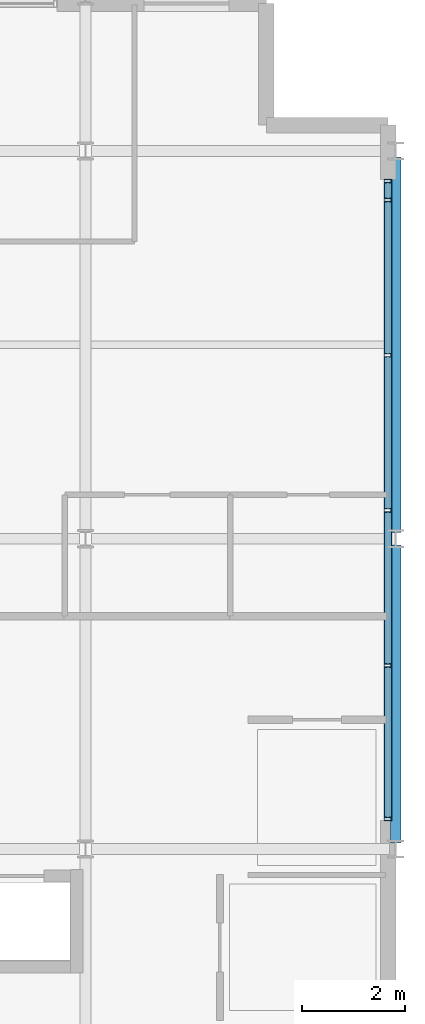
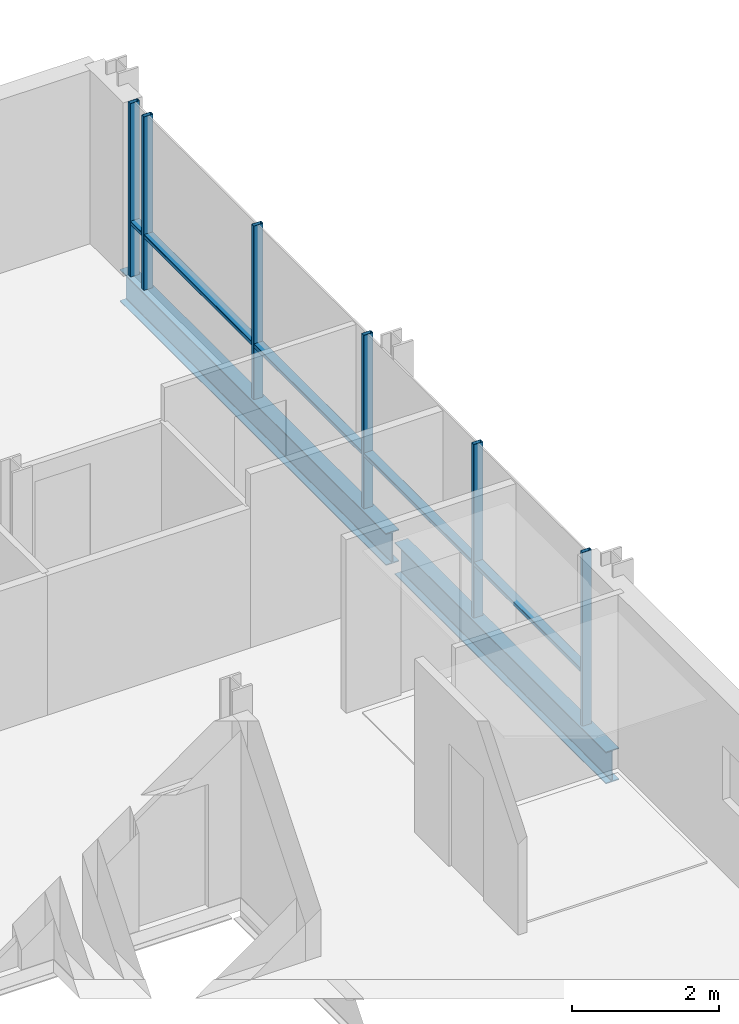
# One storey, part 5 of 12: 11 members, 2 beams, 1 element without a shape of its own.
"""IFC4 building model written with IfcOpenShell, lengths in metres."""

from ifc_helpers import new_model, si_unit, direction, frame, origin, origin_2d, place, context, subcontext, project, spatial, hollow_rectangle, i_section, extrude, material, layer, layer_set, material_profile, profile_set, type_object, element, aggregate, save


model = new_model("IFC4")

# Units and contexts
model_context = context("Model", 3, precision=1e-05, world=origin(), true_north=direction((0.0, 1.0)))
body_context = subcontext(model_context, "Body", "Model", "MODEL_VIEW")
ifc_project = project(units=[si_unit("LENGTHUNIT", "METRE"), si_unit("AREAUNIT", "SQUARE_METRE"), si_unit("VOLUMEUNIT", "CUBIC_METRE"), si_unit("PLANEANGLEUNIT", "RADIAN"), si_unit("MASSUNIT", "GRAM", prefix="KILO")], contexts=[model_context])

# Site, building, storey
site_placement = place(None, origin())
site = spatial("IfcSite", under=ifc_project, at=site_placement, CompositionType="ELEMENT")
building_placement = place(site_placement, origin())
building = spatial("IfcBuilding", under=site, at=building_placement, Name="Brevholm Reach", CompositionType="ELEMENT")
storey_placement = place(building_placement, frame((0.0, 0.0, 227.300048828125)))
storey = spatial("IfcBuildingStorey", under=building, at=storey_placement, Name="L69", CompositionType="ELEMENT", Elevation=227.300048828125)

# Beams
ifc_material_1 = material(Name="Structural Steel S355J2", Category="steel")
ifc_material_profile_1 = material_profile(ifc_material_1, i_section(OverallWidth=0.209228515625, OverallDepth=0.533203125, WebThickness=0.010009765625, FlangeThickness=0.015625, FilletRadius=0.0126953125, at=origin_2d()), Name="UKB 533x210x92")
ifc_profile_set_1 = profile_set([ifc_material_profile_1], Name="Structural Steel S355J2")
beam_type = type_object("IfcBeamType", Name="BM-SP533", PredefinedType="SPANDREL", material=ifc_profile_set_1)
beam_1_placement = place(storey_placement, frame((60.0, 10.1201171875, -0.4765625), z_axis=(0.0, 1.0, 0.0), x_axis=(-1.0, 0.0, 0.0)))
element("IfcBeam", 1, at=beam_1_placement, inside=storey, type_object=beam_type, Name="L69 SP-02 Framing Beam", PredefinedType="SPANDREL", context=body_context, shape_type="SweptSolid", body=[
    extrude(i_section(OverallWidth=0.209228515625, OverallDepth=0.533203125, WebThickness=0.010009765625, FlangeThickness=0.015625, FilletRadius=0.0126953125, at=origin_2d()), origin(), (0.0, 0.0, 1.0), 5.759765625),
])
beam_2_placement = place(storey_placement, frame((60.0, 16.1201171875, -0.4765625), z_axis=(0.0, 1.0, 0.0), x_axis=(-1.0, 0.0, 0.0)))
element("IfcBeam", 2, at=beam_2_placement, inside=storey, type_object=beam_type, Name="L69 SP-02 Framing Beam", PredefinedType="SPANDREL", context=body_context, shape_type="SweptSolid", body=[
    extrude(i_section(OverallWidth=0.209228515625, OverallDepth=0.533203125, WebThickness=0.010009765625, FlangeThickness=0.015625, FilletRadius=0.0126953125, at=origin_2d()), origin(), (0.0, 0.0, 1.0), 7.259765625),
])

# Curtain wall, members
ifc_material_2 = material(Name="Dark Anodised Aluminium 6063-T6 and Solar-Control Glass", Category="aluminium")
ifc_layer = layer(ifc_material_2, 0.14990234375)
ifc_layer_set = layer_set([ifc_layer], Name="Dark Anodised Aluminium 6063-T6 and Solar-Control Glass")
curtain_wall_type = type_object("IfcCurtainWallType", Name="CW-01", PredefinedType="NOTDEFINED", material=ifc_layer_set)
curtain_wall_placement = place(storey_placement, origin())
curtain_wall = element("IfcCurtainWall", 3, at=curtain_wall_placement, inside=storey, type_object=curtain_wall_type, Name="L69 Curtain Wall CW-01", PredefinedType="NOTDEFINED")
ifc_material_3 = material(Name="Dark Anodised Aluminium 6063-T6", Category="aluminium")
ifc_material_profile_2 = material_profile(ifc_material_3, hollow_rectangle(XDim=0.06494140625, YDim=0.14990234375, WallThickness=0.0048828125, InnerFilletRadius=0.0048828125, OuterFilletRadius=0.010009765625, at=origin_2d()), Name="RHS 150x65x5")
ifc_profile_set_2 = profile_set([ifc_material_profile_2], Name="Dark Anodised Aluminium 6063-T6")
member_type_1 = type_object("IfcMemberType", Name="CWM-150", PredefinedType="MULLION", material=ifc_profile_set_2)
member_1_placement = place(storey_placement, frame((59.85009765625, 10.58251953125, 0.0), z_axis=(0.0, 0.0, 1.0), x_axis=(0.0, 1.0, 0.0)))
member_1 = element("IfcMember", 4, at=member_1_placement, type_object=member_type_1, Name="CM-150 Mullion 1", PredefinedType="MULLION", context=body_context, shape_type="SweptSolid", body=[
    extrude(hollow_rectangle(XDim=0.06494140625, YDim=0.14990234375, WallThickness=0.0048828125, InnerFilletRadius=0.0048828125, OuterFilletRadius=0.010009765625, at=origin_2d()), origin(), (0.0, 0.0, 1.0), 2.889892578125),
])
member_2_placement = place(storey_placement, frame((59.85009765625, 13.550048828125, 0.0), z_axis=(0.0, 0.0, 1.0), x_axis=(0.0, 1.0, 0.0)))
member_2 = element("IfcMember", 5, at=member_2_placement, type_object=member_type_1, Name="CM-150 Mullion 2", PredefinedType="MULLION", context=body_context, shape_type="SweptSolid", body=[
    extrude(hollow_rectangle(XDim=0.06494140625, YDim=0.14990234375, WallThickness=0.0048828125, InnerFilletRadius=0.0048828125, OuterFilletRadius=0.010009765625, at=origin_2d()), origin(), (0.0, 0.0, 1.0), 2.889892578125),
])
member_3_placement = place(storey_placement, frame((59.85009765625, 16.550048828125, 0.0), z_axis=(0.0, 0.0, 1.0), x_axis=(0.0, 1.0, 0.0)))
member_3 = element("IfcMember", 6, at=member_3_placement, type_object=member_type_1, Name="CM-150 Mullion 3", PredefinedType="MULLION", context=body_context, shape_type="SweptSolid", body=[
    extrude(hollow_rectangle(XDim=0.06494140625, YDim=0.14990234375, WallThickness=0.0048828125, InnerFilletRadius=0.0048828125, OuterFilletRadius=0.010009765625, at=origin_2d()), origin(), (0.0, 0.0, 1.0), 2.889892578125),
])
member_4_placement = place(storey_placement, frame((59.85009765625, 19.550048828125, 0.0), z_axis=(0.0, 0.0, 1.0), x_axis=(0.0, 1.0, 0.0)))
member_4 = element("IfcMember", 7, at=member_4_placement, type_object=member_type_1, Name="CM-150 Mullion 4", PredefinedType="MULLION", context=body_context, shape_type="SweptSolid", body=[
    extrude(hollow_rectangle(XDim=0.06494140625, YDim=0.14990234375, WallThickness=0.0048828125, InnerFilletRadius=0.0048828125, OuterFilletRadius=0.010009765625, at=origin_2d()), origin(), (0.0, 0.0, 1.0), 2.889892578125),
])
member_5_placement = place(storey_placement, frame((59.85009765625, 22.550048828125, 0.0), z_axis=(0.0, 0.0, 1.0), x_axis=(0.0, 1.0, 0.0)))
member_5 = element("IfcMember", 8, at=member_5_placement, type_object=member_type_1, Name="CM-150 Mullion 5", PredefinedType="MULLION", context=body_context, shape_type="SweptSolid", body=[
    extrude(hollow_rectangle(XDim=0.06494140625, YDim=0.14990234375, WallThickness=0.0048828125, InnerFilletRadius=0.0048828125, OuterFilletRadius=0.010009765625, at=origin_2d()), origin(), (0.0, 0.0, 1.0), 2.889892578125),
])
member_6_placement = place(storey_placement, frame((59.85009765625, 22.91748046875, 0.0), z_axis=(0.0, 0.0, 1.0), x_axis=(0.0, 1.0, 0.0)))
member_6 = element("IfcMember", 9, at=member_6_placement, type_object=member_type_1, Name="CM-150 Mullion 6", PredefinedType="MULLION", context=body_context, shape_type="SweptSolid", body=[
    extrude(hollow_rectangle(XDim=0.06494140625, YDim=0.14990234375, WallThickness=0.0048828125, InnerFilletRadius=0.0048828125, OuterFilletRadius=0.010009765625, at=origin_2d()), origin(), (0.0, 0.0, 1.0), 2.889892578125),
])
ifc_material_4 = material(Name="Dark Anodised Aluminium 6063-T6", Category="aluminium")
ifc_material_profile_3 = material_profile(ifc_material_4, hollow_rectangle(XDim=0.06494140625, YDim=0.14990234375, WallThickness=0.0048828125, InnerFilletRadius=0.0048828125, OuterFilletRadius=0.010009765625, at=origin_2d()), Name="RHS 150x65x5")
ifc_profile_set_3 = profile_set([ifc_material_profile_3], Name="Dark Anodised Aluminium 6063-T6")
member_type_2 = type_object("IfcMemberType", Name="CWT-150", PredefinedType="NOTDEFINED", material=ifc_profile_set_3)
member_7_placement = place(storey_placement, frame((59.85009765625, 10.614990234375, 0.89990234375), z_axis=(0.0, 1.0, 0.0), x_axis=(0.0, 0.0, 1.0)))
member_7 = element("IfcMember", 10, at=member_7_placement, type_object=member_type_2, Name="CT-150 Transom 1.1", ObjectType="TRANSOM", PredefinedType="USERDEFINED", context=body_context, shape_type="SweptSolid", body=[
    extrude(hollow_rectangle(XDim=0.06494140625, YDim=0.14990234375, WallThickness=0.0048828125, InnerFilletRadius=0.0048828125, OuterFilletRadius=0.010009765625, at=origin_2d()), origin(), (0.0, 0.0, 1.0), 2.902587890625),
])
member_8_placement = place(storey_placement, frame((59.85009765625, 13.58251953125, 0.89990234375), z_axis=(0.0, 1.0, 0.0), x_axis=(0.0, 0.0, 1.0)))
member_8 = element("IfcMember", 11, at=member_8_placement, type_object=member_type_2, Name="CT-150 Transom 2.1", ObjectType="TRANSOM", PredefinedType="USERDEFINED", context=body_context, shape_type="SweptSolid", body=[
    extrude(hollow_rectangle(XDim=0.06494140625, YDim=0.14990234375, WallThickness=0.0048828125, InnerFilletRadius=0.0048828125, OuterFilletRadius=0.010009765625, at=origin_2d()), origin(), (0.0, 0.0, 1.0), 2.93505859375),
])
member_9_placement = place(storey_placement, frame((59.85009765625, 16.58251953125, 0.89990234375), z_axis=(0.0, 1.0, 0.0), x_axis=(0.0, 0.0, 1.0)))
member_9 = element("IfcMember", 12, at=member_9_placement, type_object=member_type_2, Name="CT-150 Transom 3.1", ObjectType="TRANSOM", PredefinedType="USERDEFINED", context=body_context, shape_type="SweptSolid", body=[
    extrude(hollow_rectangle(XDim=0.06494140625, YDim=0.14990234375, WallThickness=0.0048828125, InnerFilletRadius=0.0048828125, OuterFilletRadius=0.010009765625, at=origin_2d()), origin(), (0.0, 0.0, 1.0), 2.93505859375),
])
member_10_placement = place(storey_placement, frame((59.85009765625, 19.58251953125, 0.89990234375), z_axis=(0.0, 1.0, 0.0), x_axis=(0.0, 0.0, 1.0)))
member_10 = element("IfcMember", 13, at=member_10_placement, type_object=member_type_2, Name="CT-150 Transom 4.1", ObjectType="TRANSOM", PredefinedType="USERDEFINED", context=body_context, shape_type="SweptSolid", body=[
    extrude(hollow_rectangle(XDim=0.06494140625, YDim=0.14990234375, WallThickness=0.0048828125, InnerFilletRadius=0.0048828125, OuterFilletRadius=0.010009765625, at=origin_2d()), origin(), (0.0, 0.0, 1.0), 2.93505859375),
])
member_11_placement = place(storey_placement, frame((59.85009765625, 22.58251953125, 0.89990234375), z_axis=(0.0, 1.0, 0.0), x_axis=(0.0, 0.0, 1.0)))
member_11 = element("IfcMember", 14, at=member_11_placement, type_object=member_type_2, Name="CT-150 Transom 5.1", ObjectType="TRANSOM", PredefinedType="USERDEFINED", context=body_context, shape_type="SweptSolid", body=[
    extrude(hollow_rectangle(XDim=0.06494140625, YDim=0.14990234375, WallThickness=0.0048828125, InnerFilletRadius=0.0048828125, OuterFilletRadius=0.010009765625, at=origin_2d()), origin(), (0.0, 0.0, 1.0), 0.302490234375),
])
aggregate(curtain_wall, [member_1, member_2, member_3, member_4, member_5, member_6, member_7, member_8, member_9, member_10, member_11])

save(model, "model.ifc")
